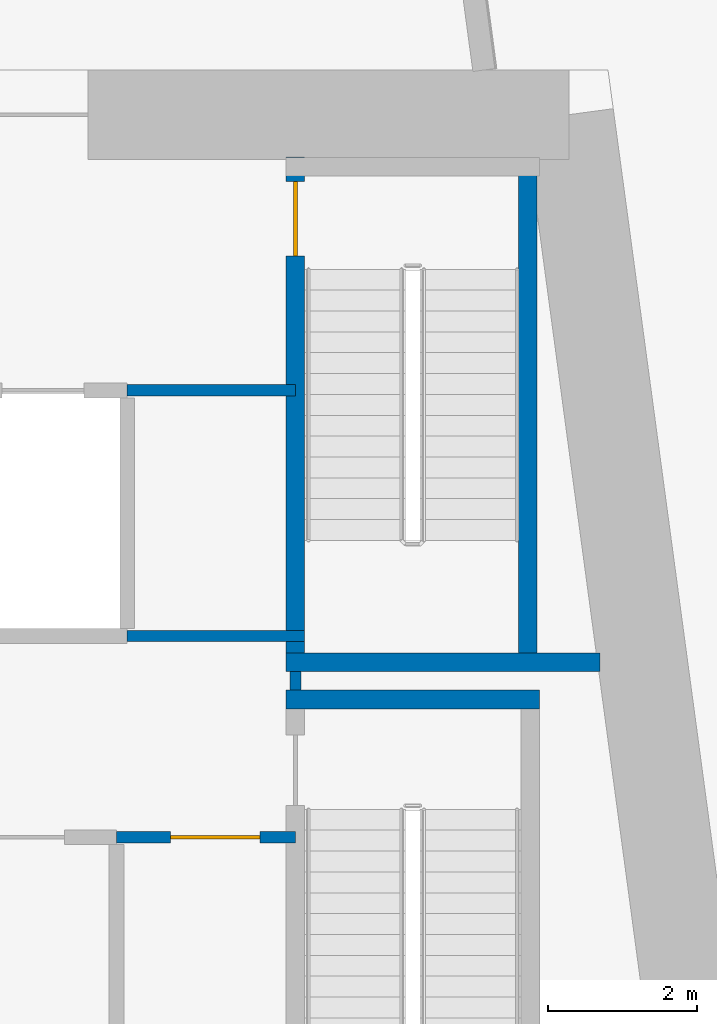
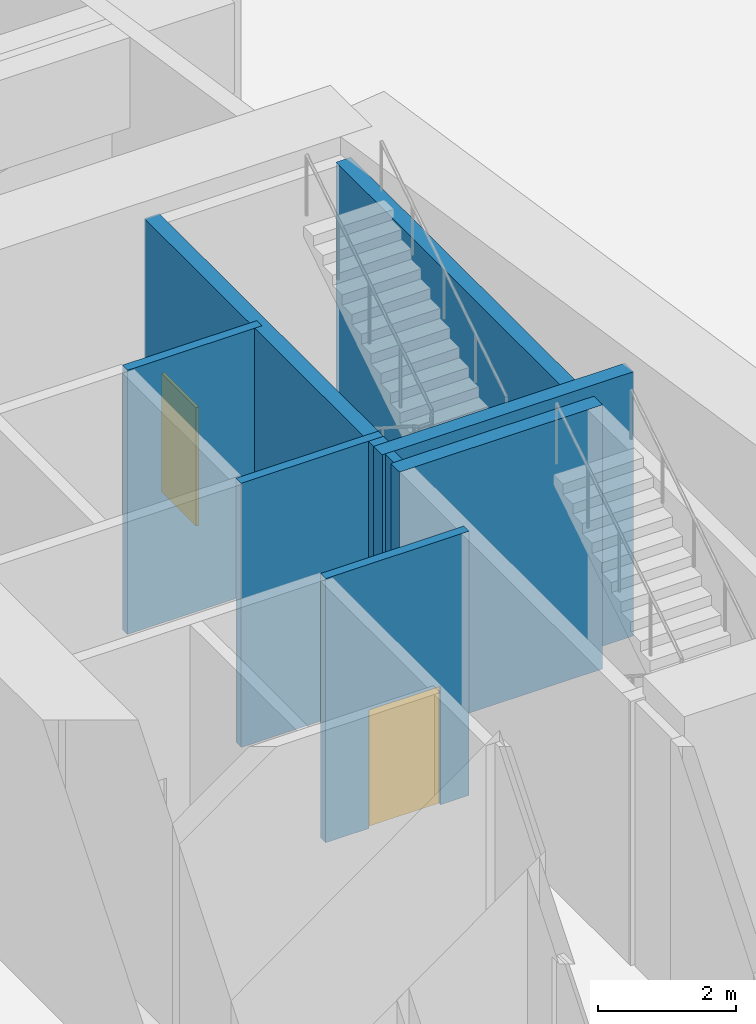
# One storey, part 16 of 26: 8 walls, 2 doors, 2 openings.
"""IFC4 building model written with IfcOpenShell, lengths in metres."""

from ifc_helpers import new_model, si_unit, direction, frame, frame_2d, origin, place, context, subcontext, project, spatial, rectangle, extrude, material, layer, layer_set, type_object, element, fill, save


model = new_model("IFC4")

# Units and contexts
model_context = context("Model", 3, precision=1e-05, world=origin(), true_north=direction((0.0, 1.0)))
body_context = subcontext(model_context, "Body", "Model", "MODEL_VIEW")
ifc_project = project(units=[si_unit("LENGTHUNIT", "METRE"), si_unit("AREAUNIT", "SQUARE_METRE"), si_unit("VOLUMEUNIT", "CUBIC_METRE"), si_unit("PLANEANGLEUNIT", "RADIAN"), si_unit("MASSUNIT", "GRAM", prefix="KILO")], contexts=[model_context])

# Site, building, storey
site_placement = place(None, origin())
site = spatial("IfcSite", under=ifc_project, at=site_placement, CompositionType="ELEMENT")
building_placement = place(site_placement, origin())
building = spatial("IfcBuilding", under=site, at=building_placement, Name="Candeia Pilgrim Tower and Theatre", CompositionType="ELEMENT")
storey_placement = place(building_placement, frame((0.0, 0.0, 34.0)))
storey = spatial("IfcBuildingStorey", under=building, at=storey_placement, Name="L05", CompositionType="ELEMENT", Elevation=34.0)

# Wall, opening, door
ifc_material_1 = material(Name="Gypsum board partition on steel studs", Category="steel")
ifc_layer_1 = layer(ifc_material_1, 0.14990234375)
ifc_layer_set_1 = layer_set([ifc_layer_1], Name="PW-150 lobby wall")
wall_type_1 = type_object("IfcWallType", Name="PW-150 lobby wall", PredefinedType="PARTITIONING", material=ifc_layer_set_1)
wall_1_placement = place(storey_placement, frame((131.572998046875, 122.10009765625, 0.0), z_axis=(0.0, 0.0, 1.0), x_axis=(1.0, 0.0, 0.0)))
wall_1 = element("IfcWall", 1, at=wall_1_placement, inside=storey, type_object=wall_type_1, Name="Lobby wall L05-015", PredefinedType="PARTITIONING", context=body_context, shape_type="SweptSolid", body=[
    extrude(rectangle(XDim=2.39990234375, YDim=0.14990234375, at=frame_2d((1.199951171875, 0.0))), origin(), (0.0, 0.0, 1.0), 4.679931640625),
])
opening_1_placement = place(wall_1_placement, frame((0.72509765625, 0.0, 0.0)))
opening_1 = element("IfcOpeningElement", 2, at=opening_1_placement, cuts=wall_1, Name="Opening L05-D014", PredefinedType="OPENING", context=body_context, shape_type="SweptSolid", body=[
    extrude(rectangle(XDim=1.199951171875, YDim=2.10009765625, at=frame_2d((0.60009765625, 1.050048828125))), frame((0.0, 0.0849609375, 0.0), z_axis=(0.0, -1.0, 0.0), x_axis=(1.0, 0.0, 0.0)), (0.0, 0.0, 1.0), 0.169921875),
])
ifc_material_2 = material(Name="Steel fire door set", Category="steel")
door_type_1 = type_object("IfcDoorType", Name="D-1200-FD60", OperationType="NOTDEFINED", PredefinedType="DOOR", material=ifc_material_2)
door_1_placement = place(opening_1_placement, origin())
door_1 = element("IfcDoor", 3, at=door_1_placement, inside=storey, type_object=door_type_1, Name="Door L05-D014", OperationType="SINGLE_SWING_RIGHT", OverallHeight=2.10009765625, OverallWidth=1.199951171875, PredefinedType="DOOR", context=body_context, shape_type="SweptSolid", body=[
    extrude(rectangle(XDim=1.199951171875, YDim=2.10009765625, at=frame_2d((0.60009765625, 1.050048828125))), frame((0.0, 0.02490234375, 0.0), z_axis=(0.0, -1.0, 0.0), x_axis=(1.0, 0.0, 0.0)), (0.0, 0.0, 1.0), 0.050048828125),
])
fill(opening_1, door_1)

# Walls
wall_2_placement = place(storey_placement, frame((131.71533203125, 124.800048828125, 0.0), z_axis=(0.0, 0.0, 1.0), x_axis=(1.0, 0.0, 0.0)))
element("IfcWall", 4, at=wall_2_placement, inside=storey, type_object=wall_type_1, Name="Lobby wall L05-022", PredefinedType="PARTITIONING", context=body_context, shape_type="SweptSolid", body=[
    extrude(rectangle(XDim=2.382568359375, YDim=0.14990234375, at=frame_2d((1.19140625, 0.0))), origin(), (0.0, 0.0, 1.0), 4.679931640625),
])
wall_3_placement = place(storey_placement, frame((131.71533203125, 128.10009765625, 0.0), z_axis=(0.0, 0.0, 1.0), x_axis=(1.0, 0.0, 0.0)))
element("IfcWall", 5, at=wall_3_placement, inside=storey, type_object=wall_type_1, Name="Lobby wall L05-026", PredefinedType="PARTITIONING", context=body_context, shape_type="SweptSolid", body=[
    extrude(rectangle(XDim=2.257568359375, YDim=0.14990234375, at=frame_2d((1.12890625, 0.0))), origin(), (0.0, 0.0, 1.0), 4.679931640625),
])
wall_4_placement = place(storey_placement, frame((133.972900390625, 124.074951171875, 0.0), z_axis=(0.0, 0.0, 1.0), x_axis=(0.0, 1.0, 0.0)))
element("IfcWall", 6, at=wall_4_placement, inside=storey, type_object=wall_type_1, Name="Lobby wall L05-061", PredefinedType="PARTITIONING", context=body_context, shape_type="SweptSolid", body=[
    extrude(rectangle(XDim=0.25, YDim=0.14990234375, at=frame_2d((0.125, 0.0))), origin(), (0.0, 0.0, 1.0), 4.679931640625),
])
ifc_material_3 = material(Name="Concrete C40/50", Category="concrete")
ifc_layer_2 = layer(ifc_material_3, 0.25)
ifc_layer_set_2 = layer_set([ifc_layer_2], Name="SW-250 stair wall")
wall_type_2 = type_object("IfcWallType", Name="SW-250 stair wall", PredefinedType="PARTITIONING", material=ifc_layer_set_2)
wall_5_placement = place(storey_placement, frame((133.847900390625, 123.949951171875, 0.0), z_axis=(0.0, 0.0, 1.0), x_axis=(1.0, 0.0, 0.0)))
element("IfcWall", 7, at=wall_5_placement, inside=storey, type_object=wall_type_2, Name="Stair wall L05-017", PredefinedType="PARTITIONING", context=body_context, shape_type="SweptSolid", body=[
    extrude(rectangle(XDim=3.400146484375, YDim=0.25, at=frame_2d((1.7001953125, 0.0))), origin(), (0.0, 0.0, 1.0), 4.679931640625),
])
wall_6_placement = place(storey_placement, frame((133.847900390625, 124.449951171875, 0.0), z_axis=(0.0, 0.0, 1.0), x_axis=(1.0, 0.0, 0.0)))
element("IfcWall", 8, at=wall_6_placement, inside=storey, type_object=wall_type_2, Name="Stair wall L05-019", PredefinedType="PARTITIONING", context=body_context, shape_type="SweptSolid", body=[
    extrude(rectangle(XDim=4.210693359375, YDim=0.25, at=frame_2d((2.10546875, 0.0))), origin(), (0.0, 0.0, 1.0), 4.679931640625),
])

# Wall, opening, door
wall_7_placement = place(storey_placement, frame((133.972900390625, 124.574951171875, 0.0), z_axis=(0.0, 0.0, 1.0), x_axis=(0.0, 1.0, 0.0)))
wall_7 = element("IfcWall", 9, at=wall_7_placement, inside=storey, type_object=wall_type_2, Name="Stair wall L05-063", PredefinedType="PARTITIONING", context=body_context, shape_type="SweptSolid", body=[
    extrude(rectangle(XDim=6.655029296875, YDim=0.25, at=frame_2d((3.32763671875, 0.0))), origin(), (0.0, 0.0, 1.0), 4.679931640625),
])
opening_2_placement = place(wall_7_placement, frame((5.324951171875, 0.0, 0.0)))
opening_2 = element("IfcOpeningElement", 10, at=opening_2_placement, cuts=wall_7, Name="Opening L05-D018", PredefinedType="OPENING", context=body_context, shape_type="SweptSolid", body=[
    extrude(rectangle(XDim=1.0, YDim=2.10009765625, at=frame_2d((0.5, 1.050048828125))), frame((0.0, 0.135009765625, 0.0), z_axis=(0.0, -1.0, 0.0), x_axis=(1.0, 0.0, 0.0)), (0.0, 0.0, 1.0), 0.27001953125),
])
door_type_2 = type_object("IfcDoorType", Name="D-1000-FD60", OperationType="NOTDEFINED", PredefinedType="DOOR", material=ifc_material_2)
door_2_placement = place(opening_2_placement, origin())
door_2 = element("IfcDoor", 11, at=door_2_placement, inside=storey, type_object=door_type_2, Name="Door L05-D018", OperationType="SINGLE_SWING_RIGHT", OverallHeight=2.10009765625, OverallWidth=1.0, PredefinedType="DOOR", context=body_context, shape_type="SweptSolid", body=[
    extrude(rectangle(XDim=1.0, YDim=2.10009765625, at=frame_2d((0.5, 1.050048828125))), frame((0.0, 0.02490234375, 0.0), z_axis=(0.0, -1.0, 0.0), x_axis=(1.0, 0.0, 0.0)), (0.0, 0.0, 1.0), 0.050048828125),
])
fill(opening_2, door_2)

# Wall
wall_8_placement = place(storey_placement, frame((137.0927734375, 124.574951171875, 0.0), z_axis=(0.0, 0.0, 1.0), x_axis=(0.0, 1.0, 0.0)))
element("IfcWall", 12, at=wall_8_placement, inside=storey, type_object=wall_type_2, Name="Stair wall L05-066", PredefinedType="PARTITIONING", context=body_context, shape_type="SweptSolid", body=[
    extrude(rectangle(XDim=6.5, YDim=0.25, at=frame_2d((3.25, 0.0))), origin(), (0.0, 0.0, 1.0), 4.679931640625),
])

save(model, "model.ifc")
